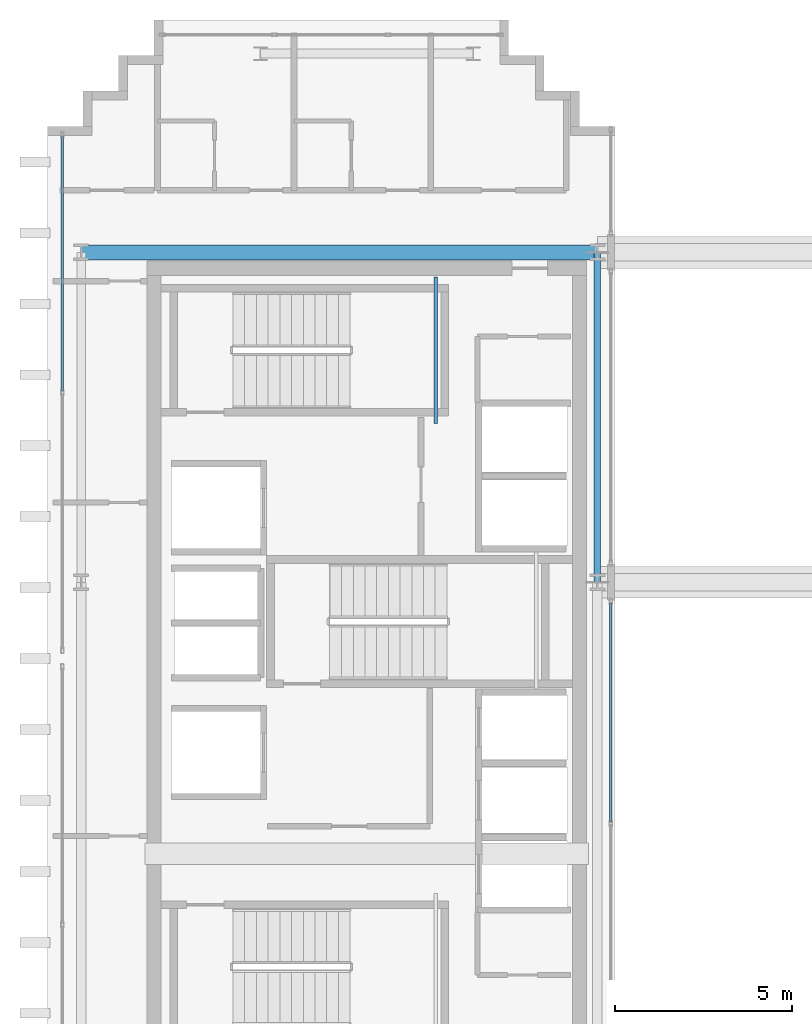
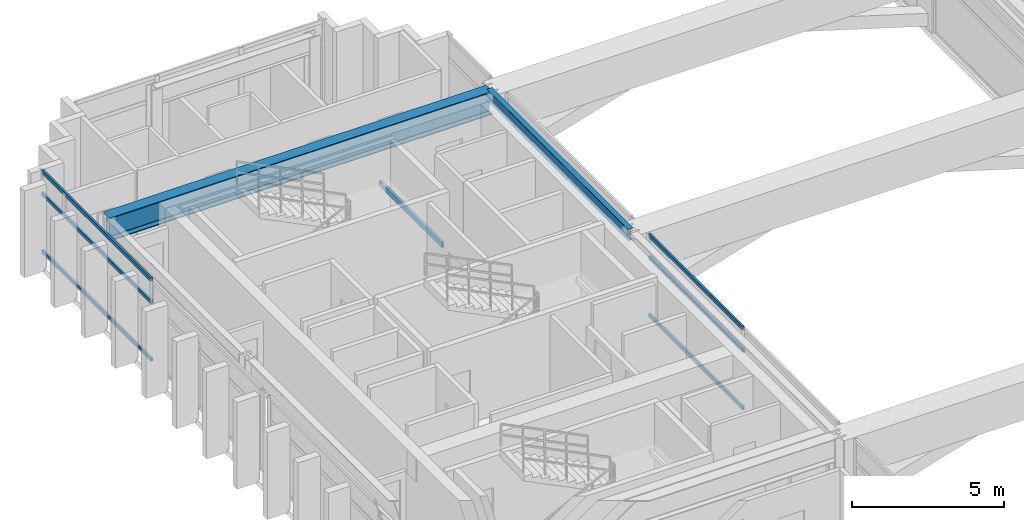
# One storey, part 7 of 28: 6 members, 3 beams, 2 elements without a shape of their own.
"""IFC4 building model written with IfcOpenShell, lengths in metres."""

from ifc_helpers import new_model, si_unit, direction, frame, origin, origin_2d, place, context, subcontext, project, spatial, hollow_rectangle, i_section, extrude, source, transform, mapped, material, layer, layer_set, material_profile, profile_set, type_object, element, aggregate, save


model = new_model("IFC4")

# Units and contexts
model_context = context("Model", 3, precision=1e-05, world=origin(), true_north=direction((0.0, 1.0)))
body_context = subcontext(model_context, "Body", "Model", "MODEL_VIEW")
ifc_project = project(units=[si_unit("LENGTHUNIT", "METRE"), si_unit("AREAUNIT", "SQUARE_METRE"), si_unit("VOLUMEUNIT", "CUBIC_METRE"), si_unit("PLANEANGLEUNIT", "RADIAN"), si_unit("MASSUNIT", "GRAM", prefix="KILO")], contexts=[model_context])

# Site, building, storey
site_placement = place(None, origin())
site = spatial("IfcSite", under=ifc_project, at=site_placement, CompositionType="ELEMENT")
building_placement = place(site_placement, origin())
building = spatial("IfcBuilding", under=site, at=building_placement, Name="Ocotamira Hotel", CompositionType="ELEMENT")
storey_placement = place(building_placement, frame((0.0, 0.0, 268.800048828125)))
storey = spatial("IfcBuildingStorey", under=building, at=storey_placement, Name="L68", CompositionType="ELEMENT", Elevation=268.800048828125)

# Beams
ifc_material_1 = material(Name="Steel ASTM A500 Grade C", Category="steel")
ifc_material_profile_1 = material_profile(ifc_material_1, hollow_rectangle(XDim=0.10009765625, YDim=0.199951171875, WallThickness=0.008056640625, at=origin_2d()), Name="HSS200X100X8")
ifc_profile_set_1 = profile_set([ifc_material_profile_1], Name="Steel ASTM A500 Grade C")
beam_type_1 = type_object("IfcBeamType", Name="BM-STLDG-HSS200", PredefinedType="BEAM", material=ifc_profile_set_1)
shared_shape_1 = source(origin(), body_context, "Body", "SweptSolid", [
    extrude(hollow_rectangle(XDim=0.10009765625, YDim=0.199951171875, WallThickness=0.008056640625, at=origin_2d()), origin(), (0.0, 0.0, 1.0), 4.1201171875),
])
beam_1_placement = place(storey_placement, frame((18.949951171875, 32.6298828125, 1.5), z_axis=(0.0, 1.0, 0.0), x_axis=(-1.0, 0.0, 0.0)))
element("IfcBeam", 1, at=beam_1_placement, inside=storey, type_object=beam_type_1, Name="L68 Stair ST-2 Landing Bearer 1", PredefinedType="BEAM", context=body_context, shape_type="MappedRepresentation", body=[
    mapped(shared_shape_1, transform((0.0, 0.0, 0.0), scale=1.0)),
])
ifc_material_2 = material(Name="Steel ASTM A992 Grade 50", Category="steel")
ifc_material_profile_2 = material_profile(ifc_material_2, i_section(OverallWidth=0.41796875, OverallDepth=0.927001953125, WebThickness=0.019287109375, FlangeThickness=0.031982421875, FilletRadius=0.02392578125, at=origin_2d()), Name="W36X231")
ifc_profile_set_2 = profile_set([ifc_material_profile_2], Name="Steel ASTM A992 Grade 50")
beam_type_2 = type_object("IfcBeamType", Name="BM-GIRD-W36X231", PredefinedType="BEAM", material=ifc_profile_set_2)
shared_shape_2 = source(origin(), body_context, "Body", "SweptSolid", [
    extrude(i_section(OverallWidth=0.41796875, OverallDepth=0.927001953125, WebThickness=0.019287109375, FlangeThickness=0.031982421875, FilletRadius=0.02392578125, at=origin_2d()), origin(), (0.0, 0.0, 1.0), 14.550048828125),
])
beam_2_placement = place(storey_placement, frame((8.949951171875, 37.449951171875, 2.81640625), z_axis=(1.0, 0.0, 0.0), x_axis=(0.0, 1.0, 0.0)))
element("IfcBeam", 2, at=beam_2_placement, inside=storey, type_object=beam_type_2, Name="L68 Girder Y37.45 X8.95-23.5", PredefinedType="BEAM", context=body_context, shape_type="MappedRepresentation", body=[
    mapped(shared_shape_2, transform((0.0, 0.0, 0.0), scale=1.0)),
])
ifc_material_profile_3 = material_profile(ifc_material_2, i_section(OverallWidth=0.18994140625, OverallDepth=0.45703125, WebThickness=0.009033203125, FlangeThickness=0.014404296875, FilletRadius=0.010009765625, at=origin_2d()), Name="W18X50")
ifc_profile_set_3 = profile_set([ifc_material_profile_3], Name="Steel ASTM A992 Grade 50")
beam_type_3 = type_object("IfcBeamType", Name="BM-SEC-W18X50", PredefinedType="JOIST", material=ifc_profile_set_3)
shared_shape_3 = source(origin(), body_context, "Body", "SweptSolid", [
    extrude(i_section(OverallWidth=0.18994140625, OverallDepth=0.45703125, WebThickness=0.009033203125, FlangeThickness=0.014404296875, FilletRadius=0.010009765625, at=origin_2d()), origin(), (0.0, 0.0, 1.0), 9.300048828125),
])
beam_3_placement = place(storey_placement, frame((23.5, 28.14990234375, 3.051513671875), z_axis=(0.0, 1.0, 0.0), x_axis=(-1.0, 0.0, 0.0)))
element("IfcBeam", 3, at=beam_3_placement, inside=storey, type_object=beam_type_3, Name="L68 Beam X23.5 Y28.15-37.45", PredefinedType="JOIST", context=body_context, shape_type="MappedRepresentation", body=[
    mapped(shared_shape_3, transform((0.0, 0.0, 0.0), scale=1.0)),
])

# Curtain wall, members
ifc_material_3 = material(Name="Anodised pale-metal aluminium and solar glass", Category="aluminium")
ifc_layer = layer(ifc_material_3, 0.2099609375)
ifc_layer_set = layer_set([ifc_layer], Name="Anodised pale-metal aluminium and solar glass")
curtain_wall_type = type_object("IfcCurtainWallType", Name="CW-SYS7-PEAK", PredefinedType="NOTDEFINED", material=ifc_layer_set)
curtain_wall_1_placement = place(storey_placement, origin())
curtain_wall_1 = element("IfcCurtainWall", 4, at=curtain_wall_1_placement, inside=storey, type_object=curtain_wall_type, Name="L68 Curtain Wall CW-7 CW-L68-WO2", PredefinedType="NOTDEFINED")
ifc_material_4 = material(Name="Anodised pale-metal aluminium 6063-T6", Category="aluminium")
ifc_material_profile_4 = material_profile(ifc_material_4, hollow_rectangle(XDim=0.074951171875, YDim=0.14990234375, WallThickness=0.006103515625, at=origin_2d()), Name="HSS150X75X6")
ifc_profile_set_4 = profile_set([ifc_material_profile_4], Name="Anodised pale-metal aluminium 6063-T6")
member_type = type_object("IfcMemberType", Name="CWT-150X75", PredefinedType="USERDEFINED", material=ifc_profile_set_4)
shared_shape_4 = source(origin(), body_context, "Body", "SweptSolid", [
    extrude(hollow_rectangle(XDim=0.074951171875, YDim=0.14990234375, WallThickness=0.006103515625, at=origin_2d()), origin(), (0.0, 0.0, 1.0), 7.179931640625),
])
member_1_placement = place(storey_placement, frame((8.419921875, 33.5400390625, 0.037353515625), z_axis=(0.0, 1.0, 0.0), x_axis=(-1.0, 0.0, 0.0)))
member_1 = element("IfcMember", 5, at=member_1_placement, type_object=member_type, Name="CW-7 transom 2.1", ObjectType="TRANSOM", PredefinedType="USERDEFINED", context=body_context, shape_type="MappedRepresentation", body=[
    mapped(shared_shape_4, transform((0.0, 0.0, 0.0), scale=1.0)),
])
member_2_placement = place(storey_placement, frame((8.419921875, 33.5400390625, 2.349853515625), z_axis=(0.0, 1.0, 0.0), x_axis=(-1.0, 0.0, 0.0)))
member_2 = element("IfcMember", 6, at=member_2_placement, type_object=member_type, Name="CW-7 transom 2.2", ObjectType="TRANSOM", PredefinedType="USERDEFINED", context=body_context, shape_type="MappedRepresentation", body=[
    mapped(shared_shape_4, transform((0.0, 0.0, 0.0), scale=1.0)),
])
member_3_placement = place(storey_placement, frame((8.419921875, 33.5400390625, 3.242431640625), z_axis=(0.0, 1.0, 0.0), x_axis=(-1.0, 0.0, 0.0)))
member_3 = element("IfcMember", 7, at=member_3_placement, type_object=member_type, Name="CW-7 transom 2.3", ObjectType="TRANSOM", PredefinedType="USERDEFINED", context=body_context, shape_type="MappedRepresentation", body=[
    mapped(shared_shape_4, transform((0.0, 0.0, 0.0), scale=1.0)),
])
aggregate(curtain_wall_1, [member_1, member_2, member_3])

curtain_wall_2_placement = place(storey_placement, origin())
curtain_wall_2 = element("IfcCurtainWall", 8, at=curtain_wall_2_placement, inside=storey, type_object=curtain_wall_type, Name="L68 Curtain Wall CW-7 CW-L68-WI2", PredefinedType="NOTDEFINED")
shared_shape_5 = source(origin(), body_context, "Body", "SweptSolid", [
    extrude(hollow_rectangle(XDim=0.074951171875, YDim=0.14990234375, WallThickness=0.006103515625, at=origin_2d()), origin(), (0.0, 0.0, 1.0), 6.18017578125),
])
member_4_placement = place(storey_placement, frame((23.8798828125, 21.389892578125, 0.037353515625), z_axis=(0.0, 1.0, 0.0), x_axis=(-1.0, 0.0, 0.0)))
member_4 = element("IfcMember", 9, at=member_4_placement, type_object=member_type, Name="CW-7 transom 2.1", ObjectType="TRANSOM", PredefinedType="USERDEFINED", context=body_context, shape_type="MappedRepresentation", body=[
    mapped(shared_shape_5, transform((0.0, 0.0, 0.0), scale=1.0)),
])
member_5_placement = place(storey_placement, frame((23.8798828125, 21.389892578125, 2.349853515625), z_axis=(0.0, 1.0, 0.0), x_axis=(-1.0, 0.0, 0.0)))
member_5 = element("IfcMember", 10, at=member_5_placement, type_object=member_type, Name="CW-7 transom 2.2", ObjectType="TRANSOM", PredefinedType="USERDEFINED", context=body_context, shape_type="MappedRepresentation", body=[
    mapped(shared_shape_5, transform((0.0, 0.0, 0.0), scale=1.0)),
])
member_6_placement = place(storey_placement, frame((23.8798828125, 21.389892578125, 3.242431640625), z_axis=(0.0, 1.0, 0.0), x_axis=(-1.0, 0.0, 0.0)))
member_6 = element("IfcMember", 11, at=member_6_placement, type_object=member_type, Name="CW-7 transom 2.3", ObjectType="TRANSOM", PredefinedType="USERDEFINED", context=body_context, shape_type="MappedRepresentation", body=[
    mapped(shared_shape_5, transform((0.0, 0.0, 0.0), scale=1.0)),
])
aggregate(curtain_wall_2, [member_4, member_5, member_6])

save(model, "model.ifc")
